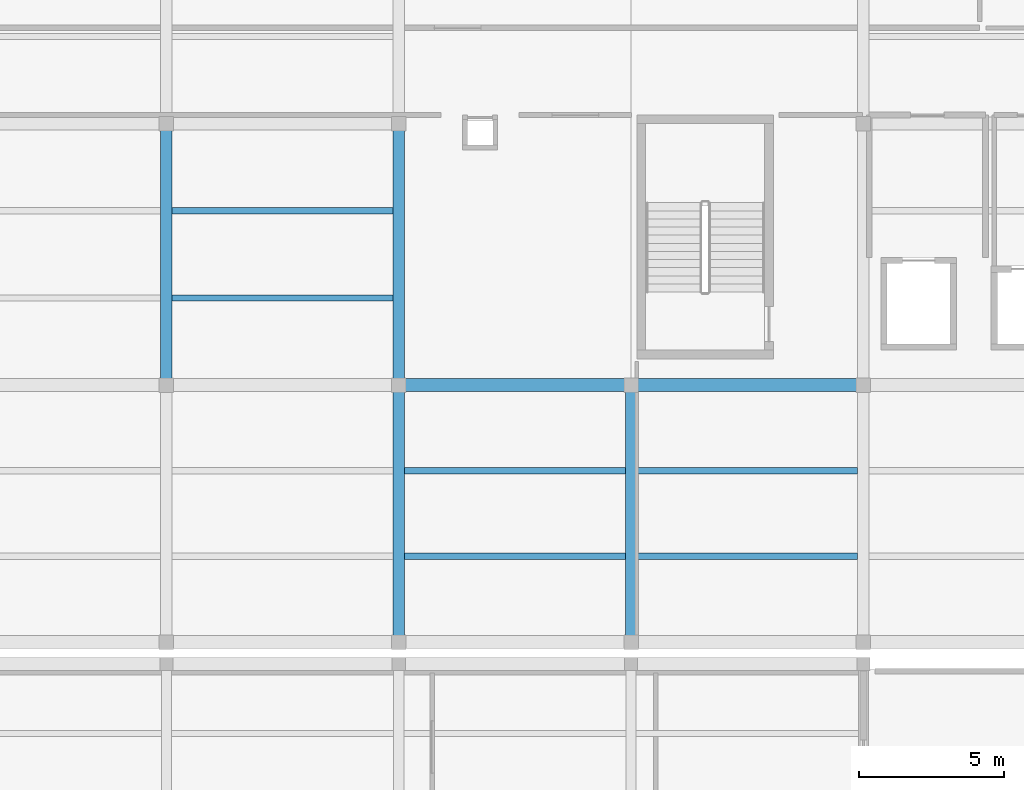
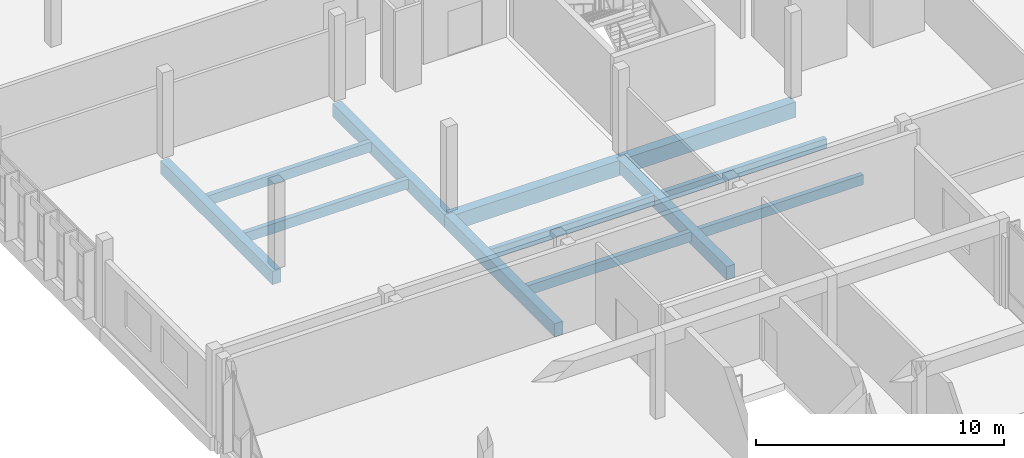
# One storey, part 34 of 107: 12 beams.
"""IFC4 building model written with IfcOpenShell, lengths in metres."""

from ifc_helpers import new_model, si_unit, direction, frame, origin, origin_2d, place, context, subcontext, project, spatial, rectangle, extrude, material, material_profile, profile_set, type_object, element, save


model = new_model("IFC4")

# Units and contexts
model_context = context("Model", 3, precision=1e-05, world=origin(), true_north=direction((0.0, 1.0)))
body_context = subcontext(model_context, "Body", "Model", "MODEL_VIEW")
ifc_project = project(units=[si_unit("LENGTHUNIT", "METRE"), si_unit("AREAUNIT", "SQUARE_METRE"), si_unit("VOLUMEUNIT", "CUBIC_METRE"), si_unit("PLANEANGLEUNIT", "RADIAN"), si_unit("MASSUNIT", "GRAM", prefix="KILO")], contexts=[model_context])

# Site, building, storey
site_placement = place(None, origin())
site = spatial("IfcSite", under=ifc_project, at=site_placement, CompositionType="ELEMENT")
building_placement = place(site_placement, origin())
building = spatial("IfcBuilding", under=site, at=building_placement, Name="Chiffa Square Polytechnic", CompositionType="ELEMENT")
storey_placement = place(building_placement, frame((0.0, 0.0, 13.800048828125)))
storey = spatial("IfcBuildingStorey", under=building, at=storey_placement, Name="L03", CompositionType="ELEMENT", Elevation=13.800048828125)

# Beams
ifc_material_1 = material(Name="Concrete C35/45", Category="concrete")
ifc_material_profile_1 = material_profile(ifc_material_1, rectangle(XDim=0.39990234375, YDim=0.64990234375, at=origin_2d()), Name="RC 400x650")
ifc_profile_set_1 = profile_set([ifc_material_profile_1], Name="Concrete C35/45")
beam_type_1 = type_object("IfcBeamType", Name="BM-RC-400X650", PredefinedType="BEAM", material=ifc_profile_set_1)
beam_1_placement = place(storey_placement, frame((8.0, 103.800048828125, -0.5849609375), z_axis=(0.0, 1.0, 0.0), x_axis=(-1.0, 0.0, 0.0)))
element("IfcBeam", 1, at=beam_1_placement, inside=storey, type_object=beam_type_1, Name="Primary floor girder BM-V5-L03-Y-0080-1038", PredefinedType="BEAM", context=body_context, shape_type="SweptSolid", body=[
    extrude(rectangle(XDim=0.39990234375, YDim=0.64990234375, at=origin_2d()), origin(), (0.0, 0.0, 1.0), 9.0),
])
beam_2_placement = place(storey_placement, frame((16.0, 94.949951171875, -0.5849609375), z_axis=(0.0, 1.0, 0.0), x_axis=(-1.0, 0.0, 0.0)))
element("IfcBeam", 2, at=beam_2_placement, inside=storey, type_object=beam_type_1, Name="Primary floor girder BM-V5-L03-Y-0160-0950", PredefinedType="BEAM", context=body_context, shape_type="SweptSolid", body=[
    extrude(rectangle(XDim=0.39990234375, YDim=0.64990234375, at=origin_2d()), origin(), (0.0, 0.0, 1.0), 8.85009765625),
])
beam_3_placement = place(storey_placement, frame((16.0, 103.800048828125, -0.5849609375), z_axis=(0.0, 1.0, 0.0), x_axis=(-1.0, 0.0, 0.0)))
element("IfcBeam", 3, at=beam_3_placement, inside=storey, type_object=beam_type_1, Name="Primary floor girder BM-V5-L03-Y-0160-1038", PredefinedType="BEAM", context=body_context, shape_type="SweptSolid", body=[
    extrude(rectangle(XDim=0.39990234375, YDim=0.64990234375, at=origin_2d()), origin(), (0.0, 0.0, 1.0), 9.0),
])
beam_4_placement = place(storey_placement, frame((24.0, 94.949951171875, -0.5849609375), z_axis=(0.0, 1.0, 0.0), x_axis=(-1.0, 0.0, 0.0)))
element("IfcBeam", 4, at=beam_4_placement, inside=storey, type_object=beam_type_1, Name="Primary floor girder BM-V5-L03-Y-0240-0950", PredefinedType="BEAM", context=body_context, shape_type="SweptSolid", body=[
    extrude(rectangle(XDim=0.39990234375, YDim=0.64990234375, at=origin_2d()), origin(), (0.0, 0.0, 1.0), 8.85009765625),
])
ifc_material_profile_2 = material_profile(ifc_material_1, rectangle(XDim=0.449951171875, YDim=0.75, at=origin_2d()), Name="RC 450x750")
ifc_profile_set_2 = profile_set([ifc_material_profile_2], Name="Concrete C35/45")
beam_type_2 = type_object("IfcBeamType", Name="BM-RC-450X750", PredefinedType="BEAM", material=ifc_profile_set_2)
for number, where, z_axis, x_axis, name in (
    (5, (16.0, 103.800048828125, -0.635009765625), (1.0, 0.0, 0.0), (0.0, 1.0, 0.0), "Primary floor girder BM-V5-L03-X-0160-1038"),
    (6, (24.0, 103.800048828125, -0.635009765625), (1.0, 0.0, 0.0), (0.0, 1.0, 0.0), "Primary floor girder BM-V5-L03-X-0240-1038"),
):
    element("IfcBeam", number, at=place(storey_placement, frame(where, z_axis=z_axis, x_axis=x_axis)), inside=storey, type_object=beam_type_2, Name=name, PredefinedType="BEAM", context=body_context, shape_type="SweptSolid", body=[
        extrude(rectangle(XDim=0.449951171875, YDim=0.75, at=origin_2d()), origin(), (0.0, 0.0, 1.0), 8.0),
    ])
ifc_material_2 = material(Name="Glulam GL28h", Category="wood")
ifc_material_profile_3 = material_profile(ifc_material_2, rectangle(XDim=0.219970703125, YDim=0.47998046875, at=origin_2d()), Name="GL28h 220x480")
ifc_profile_set_3 = profile_set([ifc_material_profile_3], Name="Glulam GL28h")
beam_type_3 = type_object("IfcBeamType", Name="JST-GL-220X480", PredefinedType="JOIST", material=ifc_profile_set_3)
for number, where, z_axis, x_axis, name in (
    (7, (8.197998046875, 106.800048828125, -0.5), (1.0, 0.0, 0.0), (0.0, 1.0, 0.0), "Secondary floor joist JST-V5-L03-0080-1068"),
    (8, (8.197998046875, 109.800048828125, -0.5), (1.0, 0.0, 0.0), (0.0, 1.0, 0.0), "Secondary floor joist JST-V5-L03-0080-1098"),
    (9, (16.197998046875, 97.89990234375, -0.5), (1.0, 0.0, 0.0), (0.0, 1.0, 0.0), "Secondary floor joist JST-V5-L03-0160-0979"),
    (10, (16.197998046875, 100.85009765625, -0.5), (1.0, 0.0, 0.0), (0.0, 1.0, 0.0), "Secondary floor joist JST-V5-L03-0160-1008"),
    (11, (24.197998046875, 97.89990234375, -0.5), (1.0, 0.0, 0.0), (0.0, 1.0, 0.0), "Secondary floor joist JST-V5-L03-0240-0979"),
    (12, (24.197998046875, 100.85009765625, -0.5), (1.0, 0.0, 0.0), (0.0, 1.0, 0.0), "Secondary floor joist JST-V5-L03-0240-1008"),
):
    element("IfcBeam", number, at=place(storey_placement, frame(where, z_axis=z_axis, x_axis=x_axis)), inside=storey, type_object=beam_type_3, Name=name, PredefinedType="JOIST", context=body_context, shape_type="SweptSolid", body=[
        extrude(rectangle(XDim=0.219970703125, YDim=0.47998046875, at=origin_2d()), origin(), (0.0, 0.0, 1.0), 7.60400390625),
    ])

save(model, "model.ifc")
